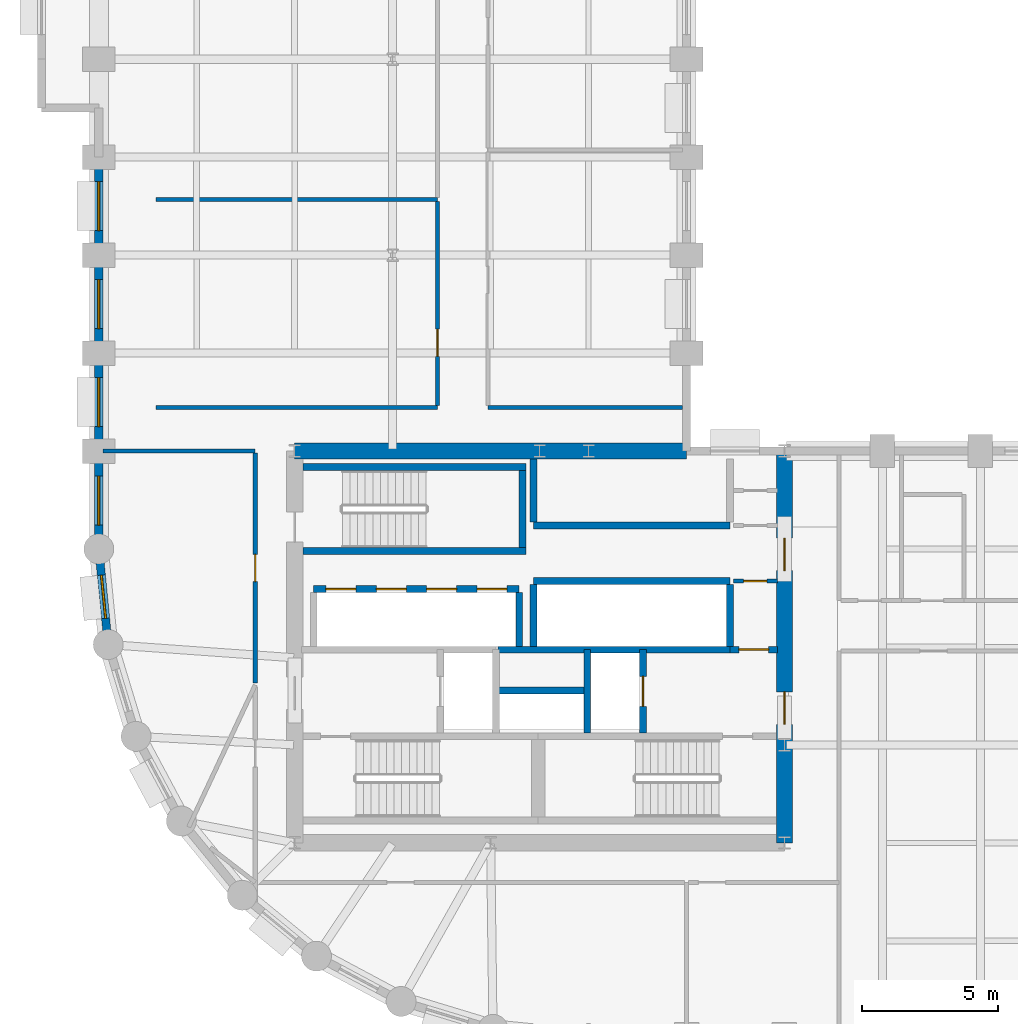
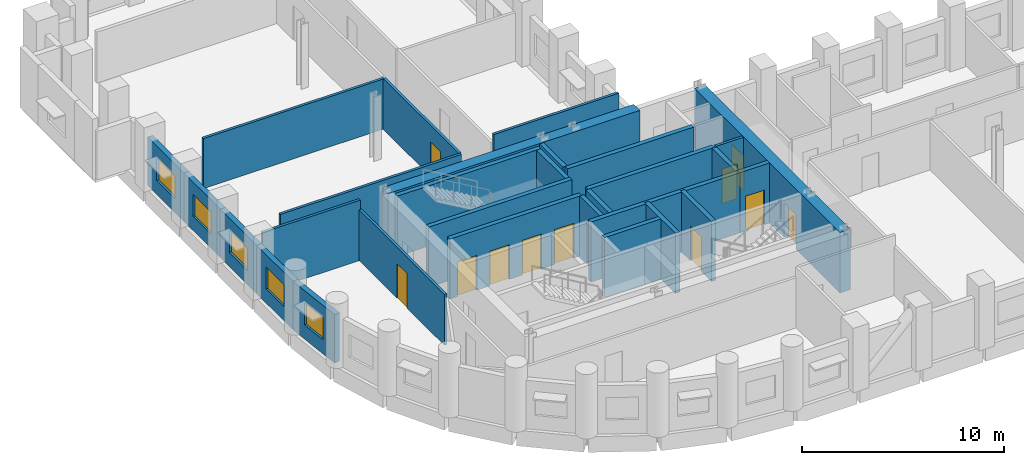
# One storey, part 6 of 11: 29 walls, 11 doors, 5 windows, 16 openings.
"""IFC4 building model written with IfcOpenShell, lengths in metres."""

from ifc_helpers import new_model, si_unit, direction, frame, frame_2d, origin, place, context, subcontext, project, spatial, rectangle, extrude, material, layer, layer_set, type_object, element, fill, save


model = new_model("IFC4")

# Units and contexts
model_context = context("Model", 3, precision=1e-05, world=origin(), true_north=direction((0.0, 1.0)))
body_context = subcontext(model_context, "Body", "Model", "MODEL_VIEW")
ifc_project = project(units=[si_unit("LENGTHUNIT", "METRE"), si_unit("AREAUNIT", "SQUARE_METRE"), si_unit("VOLUMEUNIT", "CUBIC_METRE"), si_unit("PLANEANGLEUNIT", "RADIAN"), si_unit("MASSUNIT", "GRAM", prefix="KILO")], contexts=[model_context])

# Site, building, storey
site_placement = place(None, origin())
site = spatial("IfcSite", under=ifc_project, at=site_placement, CompositionType="ELEMENT")
building_placement = place(site_placement, origin())
building = spatial("IfcBuilding", under=site, at=building_placement, Name="Solnavia Interchange Tower", CompositionType="ELEMENT")
storey_placement = place(building_placement, frame((0.0, 0.0, 47.39990234375)))
storey = spatial("IfcBuildingStorey", under=building, at=storey_placement, Name="L11", CompositionType="ELEMENT", Elevation=47.39990234375)

# Wall, opening, window
ifc_material_1 = material(Name="Concrete C40/50", Category="concrete")
ifc_layer_1 = layer(ifc_material_1, 0.300048828125)
ifc_layer_set_1 = layer_set([ifc_layer_1], Name="Concrete C40/50")
wall_type_1 = type_object("IfcWallType", Name="Wall-ExtSpandrel-300", PredefinedType="STANDARD", material=ifc_layer_set_1)
wall_1_placement = place(storey_placement, frame((7.199951171875, 32.39990234375, 0.0), z_axis=(0.0, 0.0, 1.0), x_axis=(0.0, 1.0, 0.0)))
wall_1 = element("IfcWall", 1, at=wall_1_placement, inside=storey, type_object=wall_type_1, Name="EXW-L11-55 Exterior precast spandrel wall", PredefinedType="STANDARD", context=body_context, shape_type="SweptSolid", body=[
    extrude(rectangle(XDim=3.60009765625, YDim=0.300048828125, at=frame_2d((1.800048828125, 0.0))), origin(), (0.0, 0.0, 1.0), 2.93017578125),
])
opening_1_placement = place(wall_1_placement, frame((0.89990234375, 0.0, 0.85009765625)))
opening_1 = element("IfcOpeningElement", 2, at=opening_1_placement, cuts=wall_1, Name="Opening WIN-02", PredefinedType="OPENING", context=body_context, shape_type="SweptSolid", body=[
    extrude(rectangle(XDim=1.800048828125, YDim=1.35009765625, at=frame_2d((0.89990234375, 0.675048828125))), frame((0.0, 0.16015625, 0.0), z_axis=(0.0, -1.0, 0.0), x_axis=(1.0, 0.0, 0.0)), (0.0, 0.0, 1.0), 0.320068359375),
])
ifc_material_2 = material(Name="Thermal-Break Aluminium & Low-E Glass", Category="aluminium")
window_type_1 = type_object("IfcWindowType", Name="Window-Ribbon-1800x1350", PartitioningType="SINGLE_PANEL", PredefinedType="WINDOW", material=ifc_material_2)
window_1_placement = place(opening_1_placement, origin())
window_1 = element("IfcWindow", 3, at=window_1_placement, inside=storey, type_object=window_type_1, Name="WIN-L11-55 Facade ribbon window", OverallHeight=1.35009765625, OverallWidth=1.800048828125, PartitioningType="SINGLE_PANEL", PredefinedType="WINDOW", context=body_context, shape_type="SweptSolid", body=[
    extrude(rectangle(XDim=1.800048828125, YDim=1.35009765625, at=frame_2d((0.89990234375, 0.675048828125))), frame((0.0, 0.030029296875, 0.0), z_axis=(0.0, -1.0, 0.0), x_axis=(1.0, 0.0, 0.0)), (0.0, 0.0, 1.0), 0.06005859375),
])
fill(opening_1, window_1)

wall_2_placement = place(storey_placement, frame((7.199951171875, 28.800048828125, 0.0), z_axis=(0.0, 0.0, 1.0), x_axis=(0.0, 1.0, 0.0)))
wall_2 = element("IfcWall", 4, at=wall_2_placement, inside=storey, type_object=wall_type_1, Name="EXW-L11-56 Exterior precast spandrel wall", PredefinedType="STANDARD", context=body_context, shape_type="SweptSolid", body=[
    extrude(rectangle(XDim=3.599853515625, YDim=0.300048828125, at=frame_2d((1.7998046875, 0.0))), origin(), (0.0, 0.0, 1.0), 2.93017578125),
])
opening_2_placement = place(wall_2_placement, frame((0.89990234375, 0.0, 0.85009765625)))
opening_2 = element("IfcOpeningElement", 5, at=opening_2_placement, cuts=wall_2, Name="Opening WIN-02", PredefinedType="OPENING", context=body_context, shape_type="SweptSolid", body=[
    extrude(rectangle(XDim=1.800048828125, YDim=1.35009765625, at=frame_2d((0.89990234375, 0.675048828125))), frame((0.0, 0.16015625, 0.0), z_axis=(0.0, -1.0, 0.0), x_axis=(1.0, 0.0, 0.0)), (0.0, 0.0, 1.0), 0.320068359375),
])
window_2_placement = place(opening_2_placement, origin())
window_2 = element("IfcWindow", 6, at=window_2_placement, inside=storey, type_object=window_type_1, Name="WIN-L11-56 Facade ribbon window", OverallHeight=1.35009765625, OverallWidth=1.800048828125, PartitioningType="SINGLE_PANEL", PredefinedType="WINDOW", context=body_context, shape_type="SweptSolid", body=[
    extrude(rectangle(XDim=1.800048828125, YDim=1.35009765625, at=frame_2d((0.89990234375, 0.675048828125))), frame((0.0, 0.030029296875, 0.0), z_axis=(0.0, -1.0, 0.0), x_axis=(1.0, 0.0, 0.0)), (0.0, 0.0, 1.0), 0.06005859375),
])
fill(opening_2, window_2)

wall_3_placement = place(storey_placement, frame((7.199951171875, 25.199951171875, 0.0), z_axis=(0.0, 0.0, 1.0), x_axis=(0.0, 1.0, 0.0)))
wall_3 = element("IfcWall", 7, at=wall_3_placement, inside=storey, type_object=wall_type_1, Name="EXW-L11-57 Exterior precast spandrel wall", PredefinedType="STANDARD", context=body_context, shape_type="SweptSolid", body=[
    extrude(rectangle(XDim=3.60009765625, YDim=0.300048828125, at=frame_2d((1.800048828125, 0.0))), origin(), (0.0, 0.0, 1.0), 2.93017578125),
])
opening_3_placement = place(wall_3_placement, frame((0.89990234375, 0.0, 0.85009765625)))
opening_3 = element("IfcOpeningElement", 8, at=opening_3_placement, cuts=wall_3, Name="Opening WIN-02", PredefinedType="OPENING", context=body_context, shape_type="SweptSolid", body=[
    extrude(rectangle(XDim=1.800048828125, YDim=1.35009765625, at=frame_2d((0.89990234375, 0.675048828125))), frame((0.0, 0.16015625, 0.0), z_axis=(0.0, -1.0, 0.0), x_axis=(1.0, 0.0, 0.0)), (0.0, 0.0, 1.0), 0.320068359375),
])
window_3_placement = place(opening_3_placement, origin())
window_3 = element("IfcWindow", 9, at=window_3_placement, inside=storey, type_object=window_type_1, Name="WIN-L11-57 Facade ribbon window", OverallHeight=1.35009765625, OverallWidth=1.800048828125, PartitioningType="SINGLE_PANEL", PredefinedType="WINDOW", context=body_context, shape_type="SweptSolid", body=[
    extrude(rectangle(XDim=1.800048828125, YDim=1.35009765625, at=frame_2d((0.89990234375, 0.675048828125))), frame((0.0, 0.030029296875, 0.0), z_axis=(0.0, -1.0, 0.0), x_axis=(1.0, 0.0, 0.0)), (0.0, 0.0, 1.0), 0.06005859375),
])
fill(opening_3, window_3)

wall_4_placement = place(storey_placement, frame((7.199951171875, 21.60009765625, 0.0), z_axis=(0.0, 0.0, 1.0), x_axis=(0.0, 1.0, 0.0)))
wall_4 = element("IfcWall", 10, at=wall_4_placement, inside=storey, type_object=wall_type_1, Name="EXW-L11-58 Exterior precast spandrel wall", PredefinedType="STANDARD", context=body_context, shape_type="SweptSolid", body=[
    extrude(rectangle(XDim=3.599853515625, YDim=0.300048828125, at=frame_2d((1.7998046875, 0.0))), origin(), (0.0, 0.0, 1.0), 2.93017578125),
])
opening_4_placement = place(wall_4_placement, frame((0.875, 0.0, 0.85009765625)))
opening_4 = element("IfcOpeningElement", 11, at=opening_4_placement, cuts=wall_4, Name="Opening WIN-02", PredefinedType="OPENING", context=body_context, shape_type="SweptSolid", body=[
    extrude(rectangle(XDim=1.800048828125, YDim=1.35009765625, at=frame_2d((0.89990234375, 0.675048828125))), frame((0.0, 0.16015625, 0.0), z_axis=(0.0, -1.0, 0.0), x_axis=(1.0, 0.0, 0.0)), (0.0, 0.0, 1.0), 0.320068359375),
])
window_4_placement = place(opening_4_placement, origin())
window_4 = element("IfcWindow", 12, at=window_4_placement, inside=storey, type_object=window_type_1, Name="WIN-L11-58 Facade ribbon window", OverallHeight=1.35009765625, OverallWidth=1.800048828125, PartitioningType="SINGLE_PANEL", PredefinedType="WINDOW", context=body_context, shape_type="SweptSolid", body=[
    extrude(rectangle(XDim=1.800048828125, YDim=1.35009765625, at=frame_2d((0.89990234375, 0.675048828125))), frame((0.0, 0.030029296875, 0.0), z_axis=(0.0, -1.0, 0.0), x_axis=(1.0, 0.0, 0.0)), (0.0, 0.0, 1.0), 0.06005859375),
])
fill(opening_4, window_4)

wall_5_placement = place(storey_placement, frame((7.5458984375, 18.087890625, 0.0), z_axis=(0.0, 0.0, 1.0), x_axis=(-0.09802417461, 0.995184033831, 0.0)))
wall_5 = element("IfcWall", 13, at=wall_5_placement, inside=storey, type_object=wall_type_1, Name="EXW-L11-59 Exterior precast spandrel wall", PredefinedType="STANDARD", context=body_context, shape_type="SweptSolid", body=[
    extrude(rectangle(XDim=3.529296875, YDim=0.300048828125, at=frame_2d((1.7646484375, 0.0))), origin(), (0.0, 0.0, 1.0), 2.93017578125),
])
opening_5_placement = place(wall_5_placement, frame((0.965087890625, 0.0, 0.85009765625)))
opening_5 = element("IfcOpeningElement", 14, at=opening_5_placement, cuts=wall_5, Name="Opening WIN-04", PredefinedType="OPENING", context=body_context, shape_type="SweptSolid", body=[
    extrude(rectangle(XDim=1.60009765625, YDim=1.35009765625, at=frame_2d((0.800048828125, 0.675048828125))), frame((0.0, 0.16015625, 0.0), z_axis=(0.0, -1.0, 0.0), x_axis=(1.0, 0.0, 0.0)), (0.0, 0.0, 1.0), 0.320068359375),
])
window_type_2 = type_object("IfcWindowType", Name="Window-Drum-1600x1350", PartitioningType="SINGLE_PANEL", PredefinedType="WINDOW", material=ifc_material_2)
window_5_placement = place(opening_5_placement, origin())
window_5 = element("IfcWindow", 15, at=window_5_placement, inside=storey, type_object=window_type_2, Name="WIN-L11-59 Facade ribbon window", OverallHeight=1.35009765625, OverallWidth=1.60009765625, PartitioningType="SINGLE_PANEL", PredefinedType="WINDOW", context=body_context, shape_type="SweptSolid", body=[
    extrude(rectangle(XDim=1.60009765625, YDim=1.35009765625, at=frame_2d((0.800048828125, 0.675048828125))), frame((0.0, 0.030029296875, 0.0), z_axis=(0.0, -1.0, 0.0), x_axis=(1.0, 0.0, 0.0)), (0.0, 0.0, 1.0), 0.06005859375),
])
fill(opening_5, window_5)

# Wall, opening, door
ifc_material_3 = material(Name="Gypsum Plasterboard & Steel Stud", Category="steel")
ifc_layer_2 = layer(ifc_material_3, 0.14990234375)
ifc_layer_set_2 = layer_set([ifc_layer_2], Name="Gypsum Plasterboard & Steel Stud")
wall_type_2 = type_object("IfcWallType", Name="Wall-Partition-150", PredefinedType="PARTITIONING", material=ifc_layer_set_2)
wall_6_placement = place(storey_placement, frame((30.52001953125, 20.419921875, 0.0), z_axis=(0.0, 0.0, 1.0), x_axis=(1.0, 0.0, 0.0)))
wall_6 = element("IfcWall", 16, at=wall_6_placement, inside=storey, type_object=wall_type_2, Name="CSW-L11-SE-N Core shaft wall", PredefinedType="PARTITIONING", context=body_context, shape_type="SweptSolid", body=[
    extrude(rectangle(XDim=1.6298828125, YDim=0.14990234375, at=frame_2d((0.81494140625, 0.0))), origin(), (0.0, 0.0, 1.0), 3.635009765625),
])
opening_6_placement = place(wall_6_placement, frame((0.3798828125, 0.0, 0.0)))
opening_6 = element("IfcOpeningElement", 17, at=opening_6_placement, cuts=wall_6, Name="Opening DR-10", PredefinedType="OPENING", context=body_context, shape_type="SweptSolid", body=[
    extrude(rectangle(XDim=0.85009765625, YDim=2.10009765625, at=frame_2d((0.425048828125, 1.050048828125))), frame((0.0, 0.0849609375, 0.0), z_axis=(0.0, -1.0, 0.0), x_axis=(1.0, 0.0, 0.0)), (0.0, 0.0, 1.0), 0.169921875),
])
ifc_material_4 = material(Name="Moisture-Resistant Timber Door", Category="wood")
door_type_1 = type_object("IfcDoorType", Name="Door-Bathroom-850x2100", OperationType="SINGLE_SWING_RIGHT", PredefinedType="DOOR", material=ifc_material_4)
door_1_placement = place(opening_6_placement, origin())
door_1 = element("IfcDoor", 18, at=door_1_placement, inside=storey, type_object=door_type_1, Name="DR-L11-CSE1 Core fire door", OperationType="SINGLE_SWING_LEFT", OverallHeight=2.10009765625, OverallWidth=0.85009765625, PredefinedType="DOOR", context=body_context, shape_type="SweptSolid", body=[
    extrude(rectangle(XDim=0.85009765625, YDim=2.10009765625, at=frame_2d((0.425048828125, 1.050048828125))), frame((0.0, 0.02490234375, 0.0), z_axis=(0.0, -1.0, 0.0), x_axis=(1.0, 0.0, 0.0)), (0.0, 0.0, 1.0), 0.050048828125),
])
fill(opening_6, door_1)

# Wall
wall_7_placement = place(storey_placement, frame((7.35400390625, 25.199951171875, 0.0), z_axis=(0.0, 0.0, 1.0), x_axis=(1.0, 0.0, 0.0)))
element("IfcWall", 19, at=wall_7_placement, inside=storey, type_object=wall_type_2, Name="PTW-L11-07 Interior partition wall", PredefinedType="PARTITIONING", context=body_context, shape_type="SweptSolid", body=[
    extrude(rectangle(XDim=5.595947265625, YDim=0.14990234375, at=frame_2d((2.7978515625, 0.0))), origin(), (0.0, 0.0, 1.0), 3.635009765625),
])

# Wall, opening, door
wall_8_placement = place(storey_placement, frame((12.949951171875, 16.678955078125, 0.0), z_axis=(0.0, 0.0, 1.0), x_axis=(0.0, 1.0, 0.0)))
wall_8 = element("IfcWall", 20, at=wall_8_placement, inside=storey, type_object=wall_type_2, Name="PTW-L11-11 Interior partition wall", PredefinedType="PARTITIONING", context=body_context, shape_type="SweptSolid", body=[
    extrude(rectangle(XDim=8.442138671875, YDim=0.14990234375, at=frame_2d((4.22119140625, 0.0))), origin(), (0.0, 0.0, 1.0), 3.080078125),
])
opening_7_placement = place(wall_8_placement, frame((3.720947265625, 0.0, 0.0)))
opening_7 = element("IfcOpeningElement", 21, at=opening_7_placement, cuts=wall_8, Name="Opening DR-07", PredefinedType="OPENING", context=body_context, shape_type="SweptSolid", body=[
    extrude(rectangle(XDim=1.0, YDim=2.10009765625, at=frame_2d((0.5, 1.050048828125))), frame((0.0, 0.0849609375, 0.0), z_axis=(0.0, -1.0, 0.0), x_axis=(1.0, 0.0, 0.0)), (0.0, 0.0, 1.0), 0.169921875),
])
ifc_material_5 = material(Name="Timber & Acoustic Glazed Office Door", Category="wood")
door_type_2 = type_object("IfcDoorType", Name="Door-Office-1000x2100", OperationType="SINGLE_SWING_RIGHT", PredefinedType="DOOR", material=ifc_material_5)
door_2_placement = place(opening_7_placement, origin())
door_2 = element("IfcDoor", 22, at=door_2_placement, inside=storey, type_object=door_type_2, Name="DR-L11-03 Interior room door", OperationType="SINGLE_SWING_LEFT", OverallHeight=2.10009765625, OverallWidth=1.0, PredefinedType="DOOR", context=body_context, shape_type="SweptSolid", body=[
    extrude(rectangle(XDim=1.0, YDim=2.10009765625, at=frame_2d((0.5, 1.050048828125))), frame((0.0, 0.02490234375, 0.0), z_axis=(0.0, -1.0, 0.0), x_axis=(1.0, 0.0, 0.0)), (0.0, 0.0, 1.0), 0.050048828125),
])
fill(opening_7, door_2)

# Walls
wall_9_placement = place(storey_placement, frame((9.300048828125, 26.800048828125, 0.0), z_axis=(0.0, 0.0, 1.0), x_axis=(1.0, 0.0, 0.0)))
element("IfcWall", 23, at=wall_9_placement, inside=storey, type_object=wall_type_2, Name="PTW-L11-27 Interior partition wall", PredefinedType="PARTITIONING", context=body_context, shape_type="SweptSolid", body=[
    extrude(rectangle(XDim=10.349853515625, YDim=0.14990234375, at=frame_2d((5.1748046875, 0.0))), origin(), (0.0, 0.0, 1.0), 3.080078125),
])
wall_10_placement = place(storey_placement, frame((9.300048828125, 34.43994140625, 0.0), z_axis=(0.0, 0.0, 1.0), x_axis=(1.0, 0.0, 0.0)))
element("IfcWall", 24, at=wall_10_placement, inside=storey, type_object=wall_type_2, Name="PTW-L11-28 Interior partition wall", PredefinedType="PARTITIONING", context=body_context, shape_type="SweptSolid", body=[
    extrude(rectangle(XDim=10.349853515625, YDim=0.14990234375, at=frame_2d((5.1748046875, 0.0))), origin(), (0.0, 0.0, 1.0), 3.030029296875),
])

# Wall, opening, door
wall_11_placement = place(storey_placement, frame((19.64990234375, 26.87890625, 0.0), z_axis=(0.0, 0.0, 1.0), x_axis=(0.0, 1.0, 0.0)))
wall_11 = element("IfcWall", 25, at=wall_11_placement, inside=storey, type_object=wall_type_2, Name="PTW-L11-29 Interior partition wall", PredefinedType="PARTITIONING", context=body_context, shape_type="SweptSolid", body=[
    extrude(rectangle(XDim=7.482177734375, YDim=0.14990234375, at=frame_2d((3.7412109375, 0.0))), origin(), (0.0, 0.0, 1.0), 3.080078125),
])
opening_8_placement = place(wall_11_placement, frame((1.801025390625, 0.0, 0.0)))
opening_8 = element("IfcOpeningElement", 26, at=opening_8_placement, cuts=wall_11, Name="Opening DR-07", PredefinedType="OPENING", context=body_context, shape_type="SweptSolid", body=[
    extrude(rectangle(XDim=1.0, YDim=2.10009765625, at=frame_2d((0.5, 1.050048828125))), frame((0.0, 0.0849609375, 0.0), z_axis=(0.0, -1.0, 0.0), x_axis=(1.0, 0.0, 0.0)), (0.0, 0.0, 1.0), 0.169921875),
])
door_3_placement = place(opening_8_placement, origin())
door_3 = element("IfcDoor", 27, at=door_3_placement, inside=storey, type_object=door_type_2, Name="DR-L11-13 Interior room door", OperationType="SINGLE_SWING_RIGHT", OverallHeight=2.10009765625, OverallWidth=1.0, PredefinedType="DOOR", context=body_context, shape_type="SweptSolid", body=[
    extrude(rectangle(XDim=1.0, YDim=2.10009765625, at=frame_2d((0.5, 1.050048828125))), frame((0.0, 0.02490234375, 0.0), z_axis=(0.0, -1.0, 0.0), x_axis=(1.0, 0.0, 0.0)), (0.0, 0.0, 1.0), 0.050048828125),
])
fill(opening_8, door_3)

# Walls
wall_12_placement = place(storey_placement, frame((21.5, 26.800048828125, 0.0), z_axis=(0.0, 0.0, 1.0), x_axis=(1.0, 0.0, 0.0)))
element("IfcWall", 28, at=wall_12_placement, inside=storey, type_object=wall_type_2, Name="PTW-L11-31 Interior partition wall", PredefinedType="PARTITIONING", context=body_context, shape_type="SweptSolid", body=[
    extrude(rectangle(XDim=7.14599609375, YDim=0.14990234375, at=frame_2d((3.572998046875, 0.0))), origin(), (0.0, 0.0, 1.0), 3.635009765625),
])
ifc_layer_3 = layer(ifc_material_1, 0.25)
ifc_layer_set_3 = layer_set([ifc_layer_3], Name="Concrete C40/50")
wall_type_3 = type_object("IfcWallType", Name="Wall-ShaftCore-250", PredefinedType="SHEAR", material=ifc_layer_set_3)
for number, where, z_axis, x_axis, name in (
    (29, (14.699951171875, 21.52490234375, 0.0), (0.0, 0.0, 1.0), (1.0, 0.0, 0.0), "SHW-L11-ST3S Core shear wall"),
    (30, (14.699951171875, 24.614990234375, 0.0), (0.0, 0.0, 1.0), (1.0, 0.0, 0.0), "SHW-L11-ST3N Core shear wall"),
):
    element("IfcWall", number, at=place(storey_placement, frame(where, z_axis=z_axis, x_axis=x_axis)), inside=storey, type_object=wall_type_3, Name=name, PredefinedType="SHEAR", context=body_context, shape_type="SweptSolid", body=[
        extrude(rectangle(XDim=8.199951171875, YDim=0.25, at=frame_2d((4.10009765625, 0.0))), origin(), (0.0, 0.0, 1.0), 3.650146484375),
    ])
wall_13_placement = place(storey_placement, frame((22.77490234375, 21.64990234375, 0.0), z_axis=(0.0, 0.0, 1.0), x_axis=(0.0, 1.0, 0.0)))
element("IfcWall", 31, at=wall_13_placement, inside=storey, type_object=wall_type_3, Name="SHW-L11-ST3E Core shear wall", PredefinedType="SHEAR", context=body_context, shape_type="SweptSolid", body=[
    extrude(rectangle(XDim=2.840087890625, YDim=0.25, at=frame_2d((1.419921875, 0.0))), origin(), (0.0, 0.0, 1.0), 3.650146484375),
])
ifc_layer_4 = layer(ifc_material_1, 0.25)
ifc_layer_set_4 = layer_set([ifc_layer_4], Name="Concrete C40/50")
wall_type_4 = type_object("IfcWallType", Name="Wall-ShaftPart-250", PredefinedType="PARTITIONING", material=ifc_layer_set_4)
wall_14_placement = place(storey_placement, frame((21.8798828125, 17.89990234375, 0.0), z_axis=(0.0, 0.0, 1.0), x_axis=(1.0, 0.0, 0.0)))
element("IfcWall", 32, at=wall_14_placement, inside=storey, type_object=wall_type_4, Name="SHW-L11-FFLE-N1 Core shaft wall", PredefinedType="PARTITIONING", context=body_context, shape_type="SweptSolid", body=[
    extrude(rectangle(XDim=8.52001953125, YDim=0.25, at=frame_2d((4.260009765625, 0.0))), origin(), (0.0, 0.0, 1.0), 3.635009765625),
])

# Wall, opening, door
wall_15_placement = place(storey_placement, frame((30.39990234375, 17.89990234375, 0.0), z_axis=(0.0, 0.0, 1.0), x_axis=(1.0, 0.0, 0.0)))
wall_15 = element("IfcWall", 33, at=wall_15_placement, inside=storey, type_object=wall_type_4, Name="SHW-L11-FFLE-N2 Core shaft wall", PredefinedType="PARTITIONING", context=body_context, shape_type="SweptSolid", body=[
    extrude(rectangle(XDim=1.75, YDim=0.25, at=frame_2d((0.875, 0.0))), origin(), (0.0, 0.0, 1.0), 3.635009765625),
])
opening_9_placement = place(wall_15_placement, frame((0.320068359375, 0.0, 0.0)))
opening_9 = element("IfcOpeningElement", 34, at=opening_9_placement, cuts=wall_15, Name="Opening DR-01", PredefinedType="OPENING", context=body_context, shape_type="SweptSolid", body=[
    extrude(rectangle(XDim=1.10009765625, YDim=2.10009765625, at=frame_2d((0.550048828125, 1.050048828125))), frame((0.0, 0.135009765625, 0.0), z_axis=(0.0, -1.0, 0.0), x_axis=(1.0, 0.0, 0.0)), (0.0, 0.0, 1.0), 0.27001953125),
])
ifc_material_6 = material(Name="Steel Fire-Rated Leaf & Frame", Category="steel")
door_type_3 = type_object("IfcDoorType", Name="Door-StairFire-1100x2100", OperationType="SINGLE_SWING_LEFT", PredefinedType="DOOR", material=ifc_material_6)
door_4_placement = place(opening_9_placement, origin())
door_4 = element("IfcDoor", 35, at=door_4_placement, inside=storey, type_object=door_type_3, Name="DR-L11-LLC Core fire door", OperationType="SINGLE_SWING_LEFT", OverallHeight=2.10009765625, OverallWidth=1.10009765625, PredefinedType="DOOR", context=body_context, shape_type="SweptSolid", body=[
    extrude(rectangle(XDim=1.10009765625, YDim=2.10009765625, at=frame_2d((0.550048828125, 1.050048828125))), frame((0.0, 0.02490234375, 0.0), z_axis=(0.0, -1.0, 0.0), x_axis=(1.0, 0.0, 0.0)), (0.0, 0.0, 1.0), 0.050048828125),
])
fill(opening_9, door_4)

# Wall
wall_16_placement = place(storey_placement, frame((25.14990234375, 14.840087890625, 0.0), z_axis=(0.0, 0.0, 1.0), x_axis=(0.0, 1.0, 0.0)))
element("IfcWall", 36, at=wall_16_placement, inside=storey, type_object=wall_type_4, Name="SHW-L11-FFL2-W Core shaft wall", PredefinedType="PARTITIONING", context=body_context, shape_type="SweptSolid", body=[
    extrude(rectangle(XDim=3.059814453125, YDim=0.25, at=frame_2d((1.52978515625, 0.0))), origin(), (0.0, 0.0, 1.0), 3.635009765625),
])

# Wall, opening, door
wall_17_placement = place(storey_placement, frame((27.199951171875, 14.840087890625, 0.0), z_axis=(0.0, 0.0, 1.0), x_axis=(0.0, 1.0, 0.0)))
wall_17 = element("IfcWall", 37, at=wall_17_placement, inside=storey, type_object=wall_type_4, Name="SHW-L11-FFL2-E Core shaft wall", PredefinedType="PARTITIONING", context=body_context, shape_type="SweptSolid", body=[
    extrude(rectangle(XDim=3.059814453125, YDim=0.25, at=frame_2d((1.52978515625, 0.0))), origin(), (0.0, 0.0, 1.0), 3.635009765625),
])
opening_10_placement = place(wall_17_placement, frame((0.97998046875, 0.0, 0.0)))
opening_10 = element("IfcOpeningElement", 38, at=opening_10_placement, cuts=wall_17, Name="Opening LD-01", PredefinedType="OPENING", context=body_context, shape_type="SweptSolid", body=[
    extrude(rectangle(XDim=1.10009765625, YDim=2.10009765625, at=frame_2d((0.550048828125, 1.050048828125))), frame((0.0, 0.135009765625, 0.0), z_axis=(0.0, -1.0, 0.0), x_axis=(1.0, 0.0, 0.0)), (0.0, 0.0, 1.0), 0.27001953125),
])
ifc_material_7 = material(Name="Brushed Stainless Steel Sliding Door", Category="steel")
door_type_4 = type_object("IfcDoorType", Name="Door-LiftLanding-1100x2100", OperationType="SLIDING_TO_LEFT", PredefinedType="DOOR", material=ifc_material_7)
door_5_placement = place(opening_10_placement, origin())
door_5 = element("IfcDoor", 39, at=door_5_placement, inside=storey, type_object=door_type_4, Name="LD-L11-FFL2 Lift landing sliding door", OperationType="SLIDING_TO_LEFT", OverallHeight=2.10009765625, OverallWidth=1.10009765625, PredefinedType="DOOR", context=body_context, shape_type="SweptSolid", body=[
    extrude(rectangle(XDim=1.10009765625, YDim=2.10009765625, at=frame_2d((0.550048828125, 1.050048828125))), frame((0.0, 0.02490234375, 0.0), z_axis=(0.0, -1.0, 0.0), x_axis=(1.0, 0.0, 0.0)), (0.0, 0.0, 1.0), 0.050048828125),
])
fill(opening_10, door_5)

# Wall
wall_18_placement = place(storey_placement, frame((21.800048828125, 16.39990234375, 0.0), z_axis=(0.0, 0.0, 1.0), x_axis=(1.0, 0.0, 0.0)))
element("IfcWall", 40, at=wall_18_placement, inside=storey, type_object=wall_type_4, Name="SHW-L11-MEP-N Core shaft wall", PredefinedType="PARTITIONING", context=body_context, shape_type="SweptSolid", body=[
    extrude(rectangle(XDim=3.349853515625, YDim=0.25, at=frame_2d((1.6748046875, 0.0))), origin(), (0.0, 0.0, 1.0), 3.635009765625),
])

# Wall, openings, doors
wall_19_placement = place(storey_placement, frame((15.10009765625, 20.125, 0.0), z_axis=(0.0, 0.0, 1.0), x_axis=(1.0, 0.0, 0.0)))
wall_19 = element("IfcWall", 41, at=wall_19_placement, inside=storey, type_object=wall_type_4, Name="SHW-L11-B1N Core shaft wall", PredefinedType="PARTITIONING", context=body_context, shape_type="SweptSolid", body=[
    extrude(rectangle(XDim=7.5498046875, YDim=0.25, at=frame_2d((3.77490234375, 0.0))), origin(), (0.0, 0.0, 1.0), 3.635009765625),
])
opening_11_placement = place(wall_19_placement, frame((0.449951171875, 0.0, 0.0)))
opening_11 = element("IfcOpeningElement", 42, at=opening_11_placement, cuts=wall_19, Name="Opening LD-01", PredefinedType="OPENING", context=body_context, shape_type="SweptSolid", body=[
    extrude(rectangle(XDim=1.10009765625, YDim=2.10009765625, at=frame_2d((0.550048828125, 1.050048828125))), frame((0.0, 0.135009765625, 0.0), z_axis=(0.0, -1.0, 0.0), x_axis=(1.0, 0.0, 0.0)), (0.0, 0.0, 1.0), 0.27001953125),
])
opening_12_placement = place(wall_19_placement, frame((2.300048828125, 0.0, 0.0)))
opening_12 = element("IfcOpeningElement", 43, at=opening_12_placement, cuts=wall_19, Name="Opening LD-01", PredefinedType="OPENING", context=body_context, shape_type="SweptSolid", body=[
    extrude(rectangle(XDim=1.10009765625, YDim=2.10009765625, at=frame_2d((0.550048828125, 1.050048828125))), frame((0.0, 0.135009765625, 0.0), z_axis=(0.0, -1.0, 0.0), x_axis=(1.0, 0.0, 0.0)), (0.0, 0.0, 1.0), 0.27001953125),
])
opening_13_placement = place(wall_19_placement, frame((4.14990234375, 0.0, 0.0)))
opening_13 = element("IfcOpeningElement", 44, at=opening_13_placement, cuts=wall_19, Name="Opening LD-01", PredefinedType="OPENING", context=body_context, shape_type="SweptSolid", body=[
    extrude(rectangle(XDim=1.10009765625, YDim=2.10009765625, at=frame_2d((0.550048828125, 1.050048828125))), frame((0.0, 0.135009765625, 0.0), z_axis=(0.0, -1.0, 0.0), x_axis=(1.0, 0.0, 0.0)), (0.0, 0.0, 1.0), 0.27001953125),
])
opening_14_placement = place(wall_19_placement, frame((6.0, 0.0, 0.0)))
opening_14 = element("IfcOpeningElement", 45, at=opening_14_placement, cuts=wall_19, Name="Opening LD-01", PredefinedType="OPENING", context=body_context, shape_type="SweptSolid", body=[
    extrude(rectangle(XDim=1.10009765625, YDim=2.10009765625, at=frame_2d((0.550048828125, 1.050048828125))), frame((0.0, 0.135009765625, 0.0), z_axis=(0.0, -1.0, 0.0), x_axis=(1.0, 0.0, 0.0)), (0.0, 0.0, 1.0), 0.27001953125),
])
door_6_placement = place(opening_11_placement, origin())
door_6 = element("IfcDoor", 46, at=door_6_placement, inside=storey, type_object=door_type_4, Name="LD-L11-B1-1 Lift landing sliding door", OperationType="SLIDING_TO_LEFT", OverallHeight=2.10009765625, OverallWidth=1.10009765625, PredefinedType="DOOR", context=body_context, shape_type="SweptSolid", body=[
    extrude(rectangle(XDim=1.10009765625, YDim=2.10009765625, at=frame_2d((0.550048828125, 1.050048828125))), frame((0.0, 0.02490234375, 0.0), z_axis=(0.0, -1.0, 0.0), x_axis=(1.0, 0.0, 0.0)), (0.0, 0.0, 1.0), 0.050048828125),
])
fill(opening_11, door_6)
door_7_placement = place(opening_12_placement, origin())
door_7 = element("IfcDoor", 47, at=door_7_placement, inside=storey, type_object=door_type_4, Name="LD-L11-B1-2 Lift landing sliding door", OperationType="SLIDING_TO_LEFT", OverallHeight=2.10009765625, OverallWidth=1.10009765625, PredefinedType="DOOR", context=body_context, shape_type="SweptSolid", body=[
    extrude(rectangle(XDim=1.10009765625, YDim=2.10009765625, at=frame_2d((0.550048828125, 1.050048828125))), frame((0.0, 0.02490234375, 0.0), z_axis=(0.0, -1.0, 0.0), x_axis=(1.0, 0.0, 0.0)), (0.0, 0.0, 1.0), 0.050048828125),
])
fill(opening_12, door_7)
door_8_placement = place(opening_13_placement, origin())
door_8 = element("IfcDoor", 48, at=door_8_placement, inside=storey, type_object=door_type_4, Name="LD-L11-B1-3 Lift landing sliding door", OperationType="SLIDING_TO_LEFT", OverallHeight=2.10009765625, OverallWidth=1.10009765625, PredefinedType="DOOR", context=body_context, shape_type="SweptSolid", body=[
    extrude(rectangle(XDim=1.10009765625, YDim=2.10009765625, at=frame_2d((0.550048828125, 1.050048828125))), frame((0.0, 0.02490234375, 0.0), z_axis=(0.0, -1.0, 0.0), x_axis=(1.0, 0.0, 0.0)), (0.0, 0.0, 1.0), 0.050048828125),
])
fill(opening_13, door_8)
door_9_placement = place(opening_14_placement, origin())
door_9 = element("IfcDoor", 49, at=door_9_placement, inside=storey, type_object=door_type_4, Name="LD-L11-B1-4 Lift landing sliding door", OperationType="SLIDING_TO_LEFT", OverallHeight=2.10009765625, OverallWidth=1.10009765625, PredefinedType="DOOR", context=body_context, shape_type="SweptSolid", body=[
    extrude(rectangle(XDim=1.10009765625, YDim=2.10009765625, at=frame_2d((0.550048828125, 1.050048828125))), frame((0.0, 0.02490234375, 0.0), z_axis=(0.0, -1.0, 0.0), x_axis=(1.0, 0.0, 0.0)), (0.0, 0.0, 1.0), 0.050048828125),
])
fill(opening_14, door_9)

# Walls
wall_20_placement = place(storey_placement, frame((22.64990234375, 18.02490234375, 0.0), z_axis=(0.0, 0.0, 1.0), x_axis=(0.0, 1.0, 0.0)))
element("IfcWall", 50, at=wall_20_placement, inside=storey, type_object=wall_type_4, Name="SHW-L11-B1E Core shaft wall", PredefinedType="PARTITIONING", context=body_context, shape_type="SweptSolid", body=[
    extrude(rectangle(XDim=1.97509765625, YDim=0.25, at=frame_2d((0.987548828125, 0.0))), origin(), (0.0, 0.0, 1.0), 3.635009765625),
])
wall_21_placement = place(storey_placement, frame((23.179931640625, 20.419921875, 0.0), z_axis=(0.0, 0.0, 1.0), x_axis=(1.0, 0.0, 0.0)))
element("IfcWall", 51, at=wall_21_placement, inside=storey, type_object=wall_type_4, Name="SHW-L11-B2N Core shaft wall", PredefinedType="PARTITIONING", context=body_context, shape_type="SweptSolid", body=[
    extrude(rectangle(XDim=7.219970703125, YDim=0.25, at=frame_2d((3.60986328125, 0.0))), origin(), (0.0, 0.0, 1.0), 3.635009765625),
])
for number, where, z_axis, x_axis, name in (
    (52, (23.179931640625, 18.02490234375, 0.0), (0.0, 0.0, 1.0), (0.0, 1.0, 0.0), "SHW-L11-B2W Core shaft wall"),
    (53, (30.39990234375, 18.02490234375, 0.0), (0.0, 0.0, 1.0), (0.0, 1.0, 0.0), "SHW-L11-B2E Core shaft wall"),
):
    element("IfcWall", number, at=place(storey_placement, frame(where, z_axis=z_axis, x_axis=x_axis)), inside=storey, type_object=wall_type_4, Name=name, PredefinedType="PARTITIONING", context=body_context, shape_type="SweptSolid", body=[
        extrude(rectangle(XDim=2.27001953125, YDim=0.25, at=frame_2d((1.135009765625, 0.0))), origin(), (0.0, 0.0, 1.0), 3.635009765625),
    ])
wall_22_placement = place(storey_placement, frame((23.179931640625, 22.4599609375, 0.0), z_axis=(0.0, 0.0, 1.0), x_axis=(1.0, 0.0, 0.0)))
element("IfcWall", 54, at=wall_22_placement, inside=storey, type_object=wall_type_4, Name="SHW-L11-B3S Core shaft wall", PredefinedType="PARTITIONING", context=body_context, shape_type="SweptSolid", body=[
    extrude(rectangle(XDim=7.219970703125, YDim=0.25, at=frame_2d((3.60986328125, 0.0))), origin(), (0.0, 0.0, 1.0), 3.635009765625),
])
wall_23_placement = place(storey_placement, frame((23.179931640625, 22.5849609375, 0.0), z_axis=(0.0, 0.0, 1.0), x_axis=(0.0, 1.0, 0.0)))
element("IfcWall", 55, at=wall_23_placement, inside=storey, type_object=wall_type_4, Name="SHW-L11-B3W Core shaft wall", PredefinedType="PARTITIONING", context=body_context, shape_type="SweptSolid", body=[
    extrude(rectangle(XDim=2.31494140625, YDim=0.25, at=frame_2d((1.157470703125, 0.0))), origin(), (0.0, 0.0, 1.0), 3.635009765625),
])
ifc_material_8 = material(Name="Concrete C60/75", Category="concrete")
ifc_layer_5 = layer(ifc_material_8, 0.60009765625)
ifc_layer_set_5 = layer_set([ifc_layer_5], Name="Concrete C60/75")
wall_type_5 = type_object("IfcWallType", Name="Wall-ShearCore-600", PredefinedType="SHEAR", material=ifc_layer_set_5)
wall_24_placement = place(storey_placement, frame((14.39990234375, 25.199951171875, 0.0), z_axis=(0.0, 0.0, 1.0), x_axis=(1.0, 0.0, 0.0)))
element("IfcWall", 56, at=wall_24_placement, inside=storey, type_object=wall_type_5, Name="CRW-L11-N Core shear wall", PredefinedType="SHEAR", context=body_context, shape_type="SweptSolid", body=[
    extrude(rectangle(XDim=14.400146484375, YDim=0.60009765625, at=frame_2d((7.2001953125, 0.0))), origin(), (0.0, 0.0, 1.0), 3.650146484375),
])

# Wall, openings, doors
wall_25_placement = place(storey_placement, frame((32.39990234375, 10.800048828125, 0.0), z_axis=(0.0, 0.0, 1.0), x_axis=(0.0, 1.0, 0.0)))
wall_25 = element("IfcWall", 57, at=wall_25_placement, inside=storey, type_object=wall_type_5, Name="CRW-L11-E Core shear wall", PredefinedType="SHEAR", context=body_context, shape_type="SweptSolid", body=[
    extrude(rectangle(XDim=14.39990234375, YDim=0.60009765625, at=frame_2d((7.199951171875, 0.0))), origin(), (0.0, 0.0, 1.0), 3.650146484375),
])
opening_15_placement = place(wall_25_placement, frame((4.35009765625, 0.0, 0.0)))
opening_15 = element("IfcOpeningElement", 58, at=opening_15_placement, cuts=wall_25, Name="Opening DR-02", PredefinedType="OPENING", context=body_context, shape_type="SweptSolid", body=[
    extrude(rectangle(XDim=1.199951171875, YDim=2.10009765625, at=frame_2d((0.60009765625, 1.050048828125))), frame((0.0, 0.31005859375, 0.0), z_axis=(0.0, -1.0, 0.0), x_axis=(1.0, 0.0, 0.0)), (0.0, 0.0, 1.0), 0.6201171875),
])
opening_16_placement = place(wall_25_placement, frame((10.0, 0.0, 0.0)))
opening_16 = element("IfcOpeningElement", 59, at=opening_16_placement, cuts=wall_25, Name="Opening DR-02", PredefinedType="OPENING", context=body_context, shape_type="SweptSolid", body=[
    extrude(rectangle(XDim=1.199951171875, YDim=2.10009765625, at=frame_2d((0.60009765625, 1.050048828125))), frame((0.0, 0.31005859375, 0.0), z_axis=(0.0, -1.0, 0.0), x_axis=(1.0, 0.0, 0.0)), (0.0, 0.0, 1.0), 0.6201171875),
])
ifc_material_9 = material(Name="Steel Fire-Rated Vision-Panel Door", Category="steel")
door_type_5 = type_object("IfcDoorType", Name="Door-LobbyFire-1200x2100", OperationType="SINGLE_SWING_RIGHT", PredefinedType="DOOR", material=ifc_material_9)
door_10_placement = place(opening_15_placement, origin())
door_10 = element("IfcDoor", 60, at=door_10_placement, inside=storey, type_object=door_type_5, Name="DR-L11-FFL2E Core fire door", OperationType="SINGLE_SWING_LEFT", OverallHeight=2.10009765625, OverallWidth=1.199951171875, PredefinedType="DOOR", context=body_context, shape_type="SweptSolid", body=[
    extrude(rectangle(XDim=1.199951171875, YDim=2.10009765625, at=frame_2d((0.60009765625, 1.050048828125))), frame((0.0, 0.02490234375, 0.0), z_axis=(0.0, -1.0, 0.0), x_axis=(1.0, 0.0, 0.0)), (0.0, 0.0, 1.0), 0.050048828125),
])
fill(opening_15, door_10)
door_11_placement = place(opening_16_placement, origin())
door_11 = element("IfcDoor", 61, at=door_11_placement, inside=storey, type_object=door_type_5, Name="DR-L11-LLE Core fire door", OperationType="SINGLE_SWING_RIGHT", OverallHeight=2.10009765625, OverallWidth=1.199951171875, PredefinedType="DOOR", context=body_context, shape_type="SweptSolid", body=[
    extrude(rectangle(XDim=1.199951171875, YDim=2.10009765625, at=frame_2d((0.60009765625, 1.050048828125))), frame((0.0, 0.02490234375, 0.0), z_axis=(0.0, -1.0, 0.0), x_axis=(1.0, 0.0, 0.0)), (0.0, 0.0, 1.0), 0.050048828125),
])
fill(opening_16, door_11)

save(model, "model.ifc")
